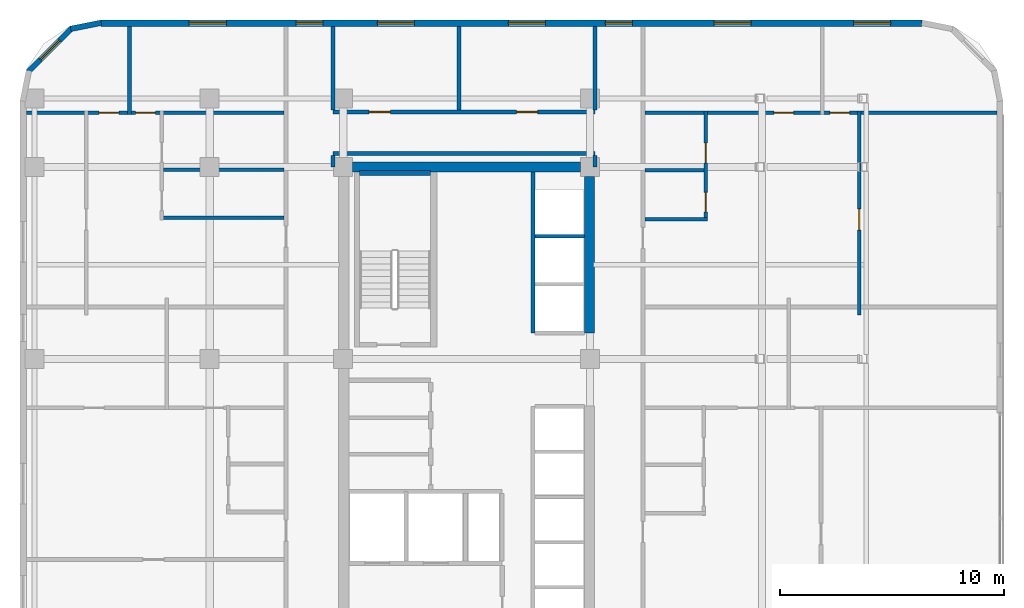
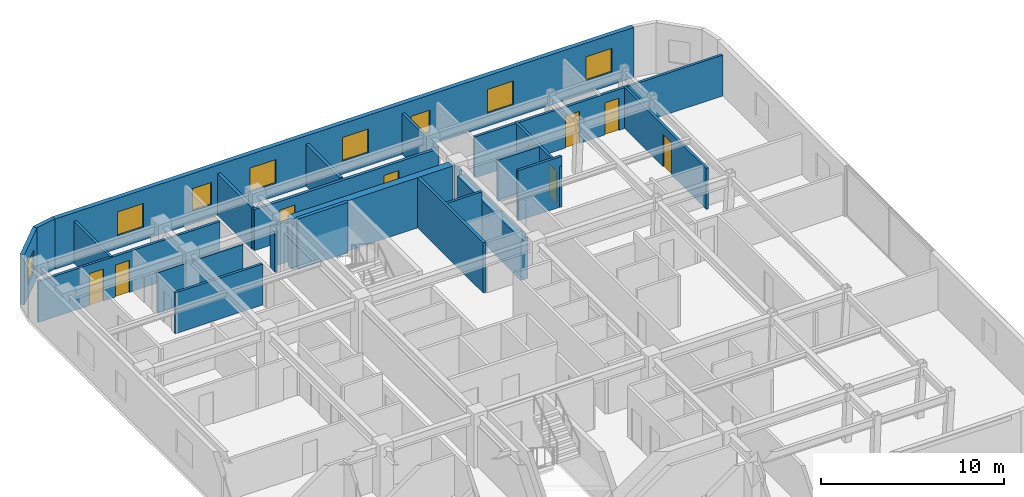
# One storey, part 7 of 12: 24 walls, 9 doors, 8 windows, 17 openings.
"""IFC4 building model written with IfcOpenShell, lengths in metres."""

from ifc_helpers import new_model, si_unit, direction, frame, frame_2d, origin, place, context, subcontext, project, spatial, rectangle, extrude, material, layer, layer_set, type_object, element, fill, save


model = new_model("IFC4")

# Units and contexts
model_context = context("Model", 3, precision=1e-05, world=origin(), true_north=direction((0.0, 1.0)))
body_context = subcontext(model_context, "Body", "Model", "MODEL_VIEW")
ifc_project = project(units=[si_unit("LENGTHUNIT", "METRE"), si_unit("AREAUNIT", "SQUARE_METRE"), si_unit("VOLUMEUNIT", "CUBIC_METRE"), si_unit("PLANEANGLEUNIT", "RADIAN"), si_unit("MASSUNIT", "GRAM", prefix="KILO")], contexts=[model_context])

# Site, building, storey
site_placement = place(None, origin())
site = spatial("IfcSite", under=ifc_project, at=site_placement, CompositionType="ELEMENT")
building_placement = place(site_placement, origin())
building = spatial("IfcBuilding", under=site, at=building_placement, Name="Ochreholt Gables", CompositionType="ELEMENT")
storey_placement = place(building_placement, frame((0.0, 0.0, 80.39990234375)))
storey = spatial("IfcBuildingStorey", under=building, at=storey_placement, Name="L20", CompositionType="ELEMENT", Elevation=80.39990234375)

# Walls
ifc_material_1 = material(Name="Concrete 60 MPa", Category="concrete")
ifc_layer_1 = layer(ifc_material_1, 0.449951171875, Name="Concrete 60 MPa")
ifc_layer_set_1 = layer_set([ifc_layer_1], Name="Concrete 60 MPa")
wall_type_1 = type_object("IfcWallType", Name="WALL-CSW-450", PredefinedType="SHEAR", material=ifc_layer_set_1)
wall_1_placement = place(storey_placement, frame((35.175048828125, 31.35009765625, 0.0), z_axis=(0.0, 0.0, 1.0), x_axis=(0.0, 1.0, 0.0)))
element("IfcWall", 1, at=wall_1_placement, inside=storey, type_object=wall_type_1, Name="L20 Core North-East Shear Wall", PredefinedType="SHEAR", context=body_context, shape_type="SweptSolid", body=[
    extrude(rectangle(XDim=6.974853515625, YDim=0.449951171875, at=frame_2d((3.4873046875, 0.0))), origin(), (0.0, 0.0, 1.0), 2.7490234375),
])
wall_2_placement = place(storey_placement, frame((24.625, 38.75, 0.0), z_axis=(0.0, 0.0, 1.0), x_axis=(1.0, 0.0, 0.0)))
element("IfcWall", 2, at=wall_2_placement, inside=storey, type_object=wall_type_1, Name="L20 Core North Shear Wall", PredefinedType="SHEAR", context=body_context, shape_type="SweptSolid", body=[
    extrude(rectangle(XDim=10.14990234375, YDim=0.449951171875, at=frame_2d((5.074951171875, 0.0))), origin(), (0.0, 0.0, 1.0), 3.360107421875),
])

# Wall, openings, windows
ifc_material_2 = material(Name="Precast concrete 40 MPa", Category="concrete")
ifc_layer_2 = layer(ifc_material_2, 0.280029296875, Name="Precast concrete 40 MPa")
ifc_layer_set_2 = layer_set([ifc_layer_2], Name="Precast concrete 40 MPa")
wall_type_2 = type_object("IfcWallType", Name="WALL-EXT-280", PredefinedType="SOLIDWALL", material=ifc_layer_set_2)
wall_3_placement = place(storey_placement, frame((49.97998046875, 45.159912109375, 0.0), z_axis=(0.0, 0.0, 1.0), x_axis=(-1.0, 0.0, 0.0)))
wall_3 = element("IfcWall", 3, at=wall_3_placement, inside=storey, type_object=wall_type_2, Name="L20 North Exterior Wall", PredefinedType="SOLIDWALL", context=body_context, shape_type="SweptSolid", body=[
    extrude(rectangle(XDim=36.56005859375, YDim=0.280029296875, at=frame_2d((18.280029296875, 0.0))), origin(), (0.0, 0.0, 1.0), 3.360107421875),
])
opening_1_placement = place(wall_3_placement, frame((30.989990234375, 0.0, 0.85009765625)))
opening_1 = element("IfcOpeningElement", 4, at=opening_1_placement, cuts=wall_3, Name="Opening WN-7", PredefinedType="OPENING", context=body_context, shape_type="SweptSolid", body=[
    extrude(rectangle(XDim=1.64990234375, YDim=1.60009765625, at=frame_2d((0.824951171875, 0.800048828125))), frame((0.0, 0.14990234375, 0.0), z_axis=(0.0, -1.0, 0.0), x_axis=(1.0, 0.0, 0.0)), (0.0, 0.0, 1.0), 0.300048828125),
])
opening_2_placement = place(wall_3_placement, frame((26.679931640625, 0.0, 0.85009765625)))
opening_2 = element("IfcOpeningElement", 5, at=opening_2_placement, cuts=wall_3, Name="Opening WN-3", PredefinedType="OPENING", context=body_context, shape_type="SweptSolid", body=[
    extrude(rectangle(XDim=1.199951171875, YDim=1.5, at=frame_2d((0.60009765625, 0.75))), frame((0.0, 0.14990234375, 0.0), z_axis=(0.0, -1.0, 0.0), x_axis=(1.0, 0.0, 0.0)), (0.0, 0.0, 1.0), 0.300048828125),
])
opening_3_placement = place(wall_3_placement, frame((22.604248046875, 0.0, 0.85009765625)))
opening_3 = element("IfcOpeningElement", 6, at=opening_3_placement, cuts=wall_3, Name="Opening WN-7", PredefinedType="OPENING", context=body_context, shape_type="SweptSolid", body=[
    extrude(rectangle(XDim=1.64990234375, YDim=1.60009765625, at=frame_2d((0.824951171875, 0.800048828125))), frame((0.0, 0.14990234375, 0.0), z_axis=(0.0, -1.0, 0.0), x_axis=(1.0, 0.0, 0.0)), (0.0, 0.0, 1.0), 0.300048828125),
])
opening_4_placement = place(wall_3_placement, frame((16.769287109375, 0.0, 0.85009765625)))
opening_4 = element("IfcOpeningElement", 7, at=opening_4_placement, cuts=wall_3, Name="Opening WN-7", PredefinedType="OPENING", context=body_context, shape_type="SweptSolid", body=[
    extrude(rectangle(XDim=1.64990234375, YDim=1.60009765625, at=frame_2d((0.824951171875, 0.800048828125))), frame((0.0, 0.14990234375, 0.0), z_axis=(0.0, -1.0, 0.0), x_axis=(1.0, 0.0, 0.0)), (0.0, 0.0, 1.0), 0.300048828125),
])
opening_5_placement = place(wall_3_placement, frame((12.89501953125, 0.0, 0.85009765625)))
opening_5 = element("IfcOpeningElement", 8, at=opening_5_placement, cuts=wall_3, Name="Opening WN-3", PredefinedType="OPENING", context=body_context, shape_type="SweptSolid", body=[
    extrude(rectangle(XDim=1.199951171875, YDim=1.5, at=frame_2d((0.60009765625, 0.75))), frame((0.0, 0.14990234375, 0.0), z_axis=(0.0, -1.0, 0.0), x_axis=(1.0, 0.0, 0.0)), (0.0, 0.0, 1.0), 0.300048828125),
])
opening_6_placement = place(wall_3_placement, frame((7.607421875, 0.0, 0.85009765625)))
opening_6 = element("IfcOpeningElement", 9, at=opening_6_placement, cuts=wall_3, Name="Opening WN-7", PredefinedType="OPENING", context=body_context, shape_type="SweptSolid", body=[
    extrude(rectangle(XDim=1.64990234375, YDim=1.60009765625, at=frame_2d((0.824951171875, 0.800048828125))), frame((0.0, 0.14990234375, 0.0), z_axis=(0.0, -1.0, 0.0), x_axis=(1.0, 0.0, 0.0)), (0.0, 0.0, 1.0), 0.300048828125),
])
opening_7_placement = place(wall_3_placement, frame((1.392578125, 0.0, 0.85009765625)))
opening_7 = element("IfcOpeningElement", 10, at=opening_7_placement, cuts=wall_3, Name="Opening WN-7", PredefinedType="OPENING", context=body_context, shape_type="SweptSolid", body=[
    extrude(rectangle(XDim=1.64990234375, YDim=1.60009765625, at=frame_2d((0.824951171875, 0.800048828125))), frame((0.0, 0.14990234375, 0.0), z_axis=(0.0, -1.0, 0.0), x_axis=(1.0, 0.0, 0.0)), (0.0, 0.0, 1.0), 0.300048828125),
])
ifc_material_3 = material(Name="Triple-Glazed Thermally Broken Aluminium Window", Category="aluminium")
window_type_1 = type_object("IfcWindowType", Name="WIN-RES-1200", PartitioningType="SINGLE_PANEL", PredefinedType="WINDOW", material=ifc_material_3)
window_1_placement = place(opening_2_placement, origin())
window_1 = element("IfcWindow", 11, at=window_1_placement, inside=storey, type_object=window_type_1, Name="L20 Window W-EXT-N-L20-2", OverallHeight=1.5, OverallWidth=1.199951171875, PartitioningType="SINGLE_PANEL", PredefinedType="WINDOW", context=body_context, shape_type="SweptSolid", body=[
    extrude(rectangle(XDim=1.199951171875, YDim=1.5, at=frame_2d((0.60009765625, 0.75))), frame((0.0, 0.030029296875, 0.0), z_axis=(0.0, -1.0, 0.0), x_axis=(1.0, 0.0, 0.0)), (0.0, 0.0, 1.0), 0.06005859375),
])
fill(opening_2, window_1)
window_2_placement = place(opening_5_placement, origin())
window_2 = element("IfcWindow", 12, at=window_2_placement, inside=storey, type_object=window_type_1, Name="L20 Window W-EXT-N-L20-5", OverallHeight=1.5, OverallWidth=1.199951171875, PartitioningType="SINGLE_PANEL", PredefinedType="WINDOW", context=body_context, shape_type="SweptSolid", body=[
    extrude(rectangle(XDim=1.199951171875, YDim=1.5, at=frame_2d((0.60009765625, 0.75))), frame((0.0, 0.030029296875, 0.0), z_axis=(0.0, -1.0, 0.0), x_axis=(1.0, 0.0, 0.0)), (0.0, 0.0, 1.0), 0.06005859375),
])
fill(opening_5, window_2)
window_type_2 = type_object("IfcWindowType", Name="WIN-RES-1650", PartitioningType="SINGLE_PANEL", PredefinedType="WINDOW", material=ifc_material_3)
window_3_placement = place(opening_1_placement, origin())
window_3 = element("IfcWindow", 13, at=window_3_placement, inside=storey, type_object=window_type_2, Name="L20 Window W-EXT-N-L20-1", OverallHeight=1.60009765625, OverallWidth=1.64990234375, PartitioningType="SINGLE_PANEL", PredefinedType="WINDOW", context=body_context, shape_type="SweptSolid", body=[
    extrude(rectangle(XDim=1.64990234375, YDim=1.60009765625, at=frame_2d((0.824951171875, 0.800048828125))), frame((0.0, 0.030029296875, 0.0), z_axis=(0.0, -1.0, 0.0), x_axis=(1.0, 0.0, 0.0)), (0.0, 0.0, 1.0), 0.06005859375),
])
fill(opening_1, window_3)
window_4_placement = place(opening_3_placement, origin())
window_4 = element("IfcWindow", 14, at=window_4_placement, inside=storey, type_object=window_type_2, Name="L20 Window W-EXT-N-L20-3", OverallHeight=1.60009765625, OverallWidth=1.64990234375, PartitioningType="SINGLE_PANEL", PredefinedType="WINDOW", context=body_context, shape_type="SweptSolid", body=[
    extrude(rectangle(XDim=1.64990234375, YDim=1.60009765625, at=frame_2d((0.824951171875, 0.800048828125))), frame((0.0, 0.030029296875, 0.0), z_axis=(0.0, -1.0, 0.0), x_axis=(1.0, 0.0, 0.0)), (0.0, 0.0, 1.0), 0.06005859375),
])
fill(opening_3, window_4)
window_5_placement = place(opening_4_placement, origin())
window_5 = element("IfcWindow", 15, at=window_5_placement, inside=storey, type_object=window_type_2, Name="L20 Window W-EXT-N-L20-4", OverallHeight=1.60009765625, OverallWidth=1.64990234375, PartitioningType="SINGLE_PANEL", PredefinedType="WINDOW", context=body_context, shape_type="SweptSolid", body=[
    extrude(rectangle(XDim=1.64990234375, YDim=1.60009765625, at=frame_2d((0.824951171875, 0.800048828125))), frame((0.0, 0.030029296875, 0.0), z_axis=(0.0, -1.0, 0.0), x_axis=(1.0, 0.0, 0.0)), (0.0, 0.0, 1.0), 0.06005859375),
])
fill(opening_4, window_5)
window_6_placement = place(opening_6_placement, origin())
window_6 = element("IfcWindow", 16, at=window_6_placement, inside=storey, type_object=window_type_2, Name="L20 Window W-EXT-N-L20-6", OverallHeight=1.60009765625, OverallWidth=1.64990234375, PartitioningType="SINGLE_PANEL", PredefinedType="WINDOW", context=body_context, shape_type="SweptSolid", body=[
    extrude(rectangle(XDim=1.64990234375, YDim=1.60009765625, at=frame_2d((0.824951171875, 0.800048828125))), frame((0.0, 0.030029296875, 0.0), z_axis=(0.0, -1.0, 0.0), x_axis=(1.0, 0.0, 0.0)), (0.0, 0.0, 1.0), 0.06005859375),
])
fill(opening_6, window_6)
window_7_placement = place(opening_7_placement, origin())
window_7 = element("IfcWindow", 17, at=window_7_placement, inside=storey, type_object=window_type_2, Name="L20 Window W-EXT-N-L20-7", OverallHeight=1.60009765625, OverallWidth=1.64990234375, PartitioningType="SINGLE_PANEL", PredefinedType="WINDOW", context=body_context, shape_type="SweptSolid", body=[
    extrude(rectangle(XDim=1.64990234375, YDim=1.60009765625, at=frame_2d((0.824951171875, 0.800048828125))), frame((0.0, 0.030029296875, 0.0), z_axis=(0.0, -1.0, 0.0), x_axis=(1.0, 0.0, 0.0)), (0.0, 0.0, 1.0), 0.06005859375),
])
fill(opening_7, window_7)

# Wall
ifc_layer_3 = layer(ifc_material_2, 0.25, Name="Precast concrete 40 MPa")
ifc_layer_set_3 = layer_set([ifc_layer_3], Name="Precast concrete 40 MPa")
wall_type_3 = type_object("IfcWallType", Name="WALL-EXT-CNR", PredefinedType="SOLIDWALL", material=ifc_layer_set_3)
wall_4_placement = place(storey_placement, frame((13.41650390625, 45.17578125, 0.0), z_axis=(0.0, 0.0, 1.0), x_axis=(-0.980809899341, -0.19496651342, 0.0)))
element("IfcWall", 18, at=wall_4_placement, inside=storey, type_object=wall_type_3, Name="L20 Rounded Corner Wall NW-1", PredefinedType="SOLIDWALL", context=body_context, shape_type="SweptSolid", body=[
    extrude(rectangle(XDim=1.388671875, YDim=0.25, at=frame_2d((0.6943359375, 0.0))), origin(), (0.0, 0.0, 1.0), 3.360107421875),
])

# Wall, opening, window
wall_5_placement = place(storey_placement, frame((12.10498046875, 44.931884765625, 0.0), z_axis=(0.0, 0.0, 1.0), x_axis=(-0.707151344399, -0.707062215165, 0.0)))
wall_5 = element("IfcWall", 19, at=wall_5_placement, inside=storey, type_object=wall_type_3, Name="L20 Rounded Corner Wall NW-2", PredefinedType="SOLIDWALL", context=body_context, shape_type="SweptSolid", body=[
    extrude(rectangle(XDim=2.7392578125, YDim=0.25, at=frame_2d((1.36962890625, 0.0))), origin(), (0.0, 0.0, 1.0), 3.360107421875),
])
opening_8_placement = place(wall_5_placement, frame((0.769775390625, 0.0, 0.85009765625)))
opening_8 = element("IfcOpeningElement", 20, at=opening_8_placement, cuts=wall_5, Name="Opening WN-3", PredefinedType="OPENING", context=body_context, shape_type="SweptSolid", body=[
    extrude(rectangle(XDim=1.199951171875, YDim=1.5, at=frame_2d((0.60009765625, 0.75))), frame((0.0, 0.135009765625, 0.0), z_axis=(0.0, -1.0, 0.0), x_axis=(1.0, 0.0, 0.0)), (0.0, 0.0, 1.0), 0.27001953125),
])
window_8_placement = place(opening_8_placement, origin())
window_8 = element("IfcWindow", 21, at=window_8_placement, inside=storey, type_object=window_type_1, Name="L20 Corner Bedroom Window NW", OverallHeight=1.5, OverallWidth=1.199951171875, PartitioningType="SINGLE_PANEL", PredefinedType="WINDOW", context=body_context, shape_type="SweptSolid", body=[
    extrude(rectangle(XDim=1.199951171875, YDim=1.5, at=frame_2d((0.60009765625, 0.75))), frame((0.0, 0.030029296875, 0.0), z_axis=(0.0, -1.0, 0.0), x_axis=(1.0, 0.0, 0.0)), (0.0, 0.0, 1.0), 0.06005859375),
])
fill(opening_8, window_8)

# Wall, openings, doors
ifc_material_4 = material(Name="Fire-Rated Gypsum Acoustic Partition", Category="gypsum")
ifc_layer_4 = layer(ifc_material_4, 0.179931640625, Name="Fire-Rated Gypsum Acoustic Partition")
ifc_layer_set_4 = layer_set([ifc_layer_4], Name="Fire-Rated Gypsum Acoustic Partition")
wall_type_4 = type_object("IfcWallType", Name="WALL-INT-CR180", PredefinedType="STANDARD", material=ifc_layer_set_4)
wall_6_placement = place(storey_placement, frame((23.75, 41.199951171875, 0.0), z_axis=(0.0, 0.0, 1.0), x_axis=(1.0, 0.0, 0.0)))
wall_6 = element("IfcWall", 22, at=wall_6_placement, inside=storey, type_object=wall_type_4, Name="L20 Interior Wall WI-C1N-L20", PredefinedType="STANDARD", context=body_context, shape_type="SweptSolid", body=[
    extrude(rectangle(XDim=11.669921875, YDim=0.179931640625, at=frame_2d((5.8349609375, 0.0))), origin(), (0.0, 0.0, 1.0), 2.731201171875),
])
opening_9_placement = place(wall_6_placement, frame((1.60009765625, 0.0, 0.0)))
opening_9 = element("IfcOpeningElement", 23, at=opening_9_placement, cuts=wall_6, Name="Opening D-GN1", PredefinedType="OPENING", context=body_context, shape_type="SweptSolid", body=[
    extrude(rectangle(XDim=0.949951171875, YDim=2.14990234375, at=frame_2d((0.47509765625, 1.074951171875))), frame((0.0, 0.099853515625, 0.0), z_axis=(0.0, -1.0, 0.0), x_axis=(1.0, 0.0, 0.0)), (0.0, 0.0, 1.0), 0.199951171875),
])
opening_10_placement = place(wall_6_placement, frame((8.17578125, 0.0, 0.0)))
opening_10 = element("IfcOpeningElement", 24, at=opening_10_placement, cuts=wall_6, Name="Opening D-UN2", PredefinedType="OPENING", context=body_context, shape_type="SweptSolid", body=[
    extrude(rectangle(XDim=0.93994140625, YDim=2.14990234375, at=frame_2d((0.469970703125, 1.074951171875))), frame((0.0, 0.099853515625, 0.0), z_axis=(0.0, -1.0, 0.0), x_axis=(1.0, 0.0, 0.0)), (0.0, 0.0, 1.0), 0.199951171875),
])
ifc_material_5 = material(Name="Engineered Oak Timber", Category="wood")
door_type_1 = type_object("IfcDoorType", Name="DR-INT-GEN950", OperationType="NOTDEFINED", PredefinedType="DOOR", material=ifc_material_5)
door_1_placement = place(opening_9_placement, origin())
door_1 = element("IfcDoor", 25, at=door_1_placement, inside=storey, type_object=door_type_1, Name="L20 Door D-C1NL-L20", OperationType="SINGLE_SWING_RIGHT", OverallHeight=2.14990234375, OverallWidth=0.949951171875, PredefinedType="DOOR", context=body_context, shape_type="SweptSolid", body=[
    extrude(rectangle(XDim=0.949951171875, YDim=2.14990234375, at=frame_2d((0.47509765625, 1.074951171875))), frame((0.0, 0.02490234375, 0.0), z_axis=(0.0, -1.0, 0.0), x_axis=(1.0, 0.0, 0.0)), (0.0, 0.0, 1.0), 0.050048828125),
])
fill(opening_9, door_1)
door_type_2 = type_object("IfcDoorType", Name="DR-INT-UNT940", OperationType="NOTDEFINED", PredefinedType="DOOR", material=ifc_material_5)
door_2_placement = place(opening_10_placement, origin())
door_2 = element("IfcDoor", 26, at=door_2_placement, inside=storey, type_object=door_type_2, Name="L20 Door D-U-L20N1-ENT", OperationType="SINGLE_SWING_LEFT", OverallHeight=2.14990234375, OverallWidth=0.93994140625, PredefinedType="DOOR", context=body_context, shape_type="SweptSolid", body=[
    extrude(rectangle(XDim=0.93994140625, YDim=2.14990234375, at=frame_2d((0.469970703125, 1.074951171875))), frame((0.0, 0.02490234375, 0.0), z_axis=(0.0, -1.0, 0.0), x_axis=(1.0, 0.0, 0.0)), (0.0, 0.0, 1.0), 0.050048828125),
])
fill(opening_10, door_2)

# Walls
wall_7_placement = place(storey_placement, frame((23.75, 39.35009765625, 0.0), z_axis=(0.0, 0.0, 1.0), x_axis=(1.0, 0.0, 0.0)))
element("IfcWall", 27, at=wall_7_placement, inside=storey, type_object=wall_type_4, Name="L20 Interior Wall WI-C1N2-L20", PredefinedType="STANDARD", context=body_context, shape_type="SweptSolid", body=[
    extrude(rectangle(XDim=11.669921875, YDim=0.179931640625, at=frame_2d((5.8349609375, 0.0))), origin(), (0.0, 0.0, 1.0), 2.731201171875),
])
for number, where, z_axis, x_axis, name in (
    (28, (35.419921875, 38.75, 0.0), (0.0, 0.0, 1.0), (0.0, 1.0, 0.0), "L20 Interior Wall WI-C1ENW2-L20"),
    (29, (23.75, 38.75, 0.0), (0.0, 0.0, 1.0), (0.0, 1.0, 0.0), "L20 Interior Wall WI-C1NWA2-L20"),
):
    element("IfcWall", number, at=place(storey_placement, frame(where, z_axis=z_axis, x_axis=x_axis)), inside=storey, type_object=wall_type_4, Name=name, PredefinedType="STANDARD", context=body_context, shape_type="SweptSolid", body=[
        extrude(rectangle(XDim=0.510009765625, YDim=0.179931640625, at=frame_2d((0.2548828125, 0.0))), origin(), (0.0, 0.0, 1.0), 2.731201171875),
    ])
ifc_material_6 = material(Name="Double-Stud Acoustic Demising Wall", Category="gypsum")
ifc_layer_5 = layer(ifc_material_6, 0.179931640625, Name="Double-Stud Acoustic Demising Wall")
ifc_layer_set_5 = layer_set([ifc_layer_5], Name="Double-Stud Acoustic Demising Wall")
wall_type_5 = type_object("IfcWallType", Name="WALL-INT-DM180", PredefinedType="PARTITIONING", material=ifc_layer_set_5)
wall_8_placement = place(storey_placement, frame((35.419921875, 41.2900390625, 0.0), z_axis=(0.0, 0.0, 1.0), x_axis=(0.0, 1.0, 0.0)))
element("IfcWall", 30, at=wall_8_placement, inside=storey, type_object=wall_type_5, Name="L20 Interior Wall WI-C1ENW-L20", PredefinedType="PARTITIONING", context=body_context, shape_type="SweptSolid", body=[
    extrude(rectangle(XDim=3.72998046875, YDim=0.179931640625, at=frame_2d((1.864990234375, 0.0))), origin(), (0.0, 0.0, 1.0), 2.731201171875),
])
for number, where, z_axis, x_axis, name in (
    (31, (23.75, 41.2900390625, 0.0), (0.0, 0.0, 1.0), (0.0, 1.0, 0.0), "L20 Interior Wall WI-C1NWA-L20"),
    (32, (29.3515625, 41.2900390625, 0.0), (0.0, 0.0, 1.0), (0.0, 1.0, 0.0), "L20 Interior Wall WI-UDN1-L20"),
):
    element("IfcWall", number, at=place(storey_placement, frame(where, z_axis=z_axis, x_axis=x_axis)), inside=storey, type_object=wall_type_5, Name=name, PredefinedType="PARTITIONING", context=body_context, shape_type="SweptSolid", body=[
        extrude(rectangle(XDim=3.72998046875, YDim=0.179931640625, at=frame_2d((1.864990234375, 0.0))), origin(), (0.0, 0.0, 1.0), 2.80908203125),
    ])
ifc_material_7 = material(Name="Moisture-Resistant Plumbing Chase Wall", Category="gypsum")
ifc_layer_6 = layer(ifc_material_7, 0.159912109375, Name="Moisture-Resistant Plumbing Chase Wall")
ifc_layer_set_6 = layer_set([ifc_layer_6], Name="Moisture-Resistant Plumbing Chase Wall")
wall_type_6 = type_object("IfcWallType", Name="WALL-INT-PL160", PredefinedType="PLUMBINGWALL", material=ifc_layer_set_6)
wall_9_placement = place(storey_placement, frame((37.639892578125, 36.424560546875, 0.0), z_axis=(0.0, 0.0, 1.0), x_axis=(1.0, 0.0, 0.0)))
element("IfcWall", 33, at=wall_9_placement, inside=storey, type_object=wall_type_6, Name="L20 Interior Wall WU-L20E3-FYS", PredefinedType="PLUMBINGWALL", context=body_context, shape_type="SweptSolid", body=[
    extrude(rectangle(XDim=2.7880859375, YDim=0.159912109375, at=frame_2d((1.39404296875, 0.0))), origin(), (0.0, 0.0, 1.0), 3.360107421875),
])

# Wall, openings, doors
wall_10_placement = place(storey_placement, frame((40.347900390625, 36.33447265625, 0.0), z_axis=(0.0, 0.0, 1.0), x_axis=(0.0, 1.0, 0.0)))
wall_10 = element("IfcWall", 34, at=wall_10_placement, inside=storey, type_object=wall_type_6, Name="L20 Interior Wall WU-L20E3-WX", PredefinedType="PLUMBINGWALL", context=body_context, shape_type="SweptSolid", body=[
    extrude(rectangle(XDim=4.91552734375, YDim=0.159912109375, at=frame_2d((2.457763671875, 0.0))), origin(), (0.0, 0.0, 1.0), 2.731201171875),
])
opening_11_placement = place(wall_10_placement, frame((0.419921875, 0.0, 0.0)))
opening_11 = element("IfcOpeningElement", 35, at=opening_11_placement, cuts=wall_10, Name="Opening D-BT1", PredefinedType="OPENING", context=body_context, shape_type="SweptSolid", body=[
    extrude(rectangle(XDim=0.860107421875, YDim=2.1201171875, at=frame_2d((0.43017578125, 1.06005859375))), frame((0.0, 0.08984375, 0.0), z_axis=(0.0, -1.0, 0.0), x_axis=(1.0, 0.0, 0.0)), (0.0, 0.0, 1.0), 0.179931640625),
])
opening_12_placement = place(wall_10_placement, frame((2.598388671875, 0.0, 0.0)))
opening_12 = element("IfcOpeningElement", 36, at=opening_12_placement, cuts=wall_10, Name="Opening D-GN2", PredefinedType="OPENING", context=body_context, shape_type="SweptSolid", body=[
    extrude(rectangle(XDim=0.8798828125, YDim=2.1201171875, at=frame_2d((0.43994140625, 1.06005859375))), frame((0.0, 0.08984375, 0.0), z_axis=(0.0, -1.0, 0.0), x_axis=(1.0, 0.0, 0.0)), (0.0, 0.0, 1.0), 0.179931640625),
])
door_type_3 = type_object("IfcDoorType", Name="DR-INT-BTH860", OperationType="NOTDEFINED", PredefinedType="DOOR", material=ifc_material_5)
door_3_placement = place(opening_11_placement, origin())
door_3 = element("IfcDoor", 37, at=door_3_placement, inside=storey, type_object=door_type_3, Name="L20 Door D-U-L20E3-BTH", OperationType="SINGLE_SWING_LEFT", OverallHeight=2.1201171875, OverallWidth=0.860107421875, PredefinedType="DOOR", context=body_context, shape_type="SweptSolid", body=[
    extrude(rectangle(XDim=0.860107421875, YDim=2.1201171875, at=frame_2d((0.43017578125, 1.06005859375))), frame((0.0, 0.02490234375, 0.0), z_axis=(0.0, -1.0, 0.0), x_axis=(1.0, 0.0, 0.0)), (0.0, 0.0, 1.0), 0.050048828125),
])
fill(opening_11, door_3)
door_type_4 = type_object("IfcDoorType", Name="DR-INT-GEN880", OperationType="NOTDEFINED", PredefinedType="DOOR", material=ifc_material_5)
door_4_placement = place(opening_12_placement, origin())
door_4 = element("IfcDoor", 38, at=door_4_placement, inside=storey, type_object=door_type_4, Name="L20 Door D-U-L20E3-KIT", OperationType="SINGLE_SWING_RIGHT", OverallHeight=2.1201171875, OverallWidth=0.8798828125, PredefinedType="DOOR", context=body_context, shape_type="SweptSolid", body=[
    extrude(rectangle(XDim=0.8798828125, YDim=2.1201171875, at=frame_2d((0.43994140625, 1.06005859375))), frame((0.0, 0.02490234375, 0.0), z_axis=(0.0, -1.0, 0.0), x_axis=(1.0, 0.0, 0.0)), (0.0, 0.0, 1.0), 0.050048828125),
])
fill(opening_12, door_4)

# Walls
wall_11_placement = place(storey_placement, frame((37.639892578125, 38.602783203125, 0.0), z_axis=(0.0, 0.0, 1.0), x_axis=(1.0, 0.0, 0.0)))
element("IfcWall", 39, at=wall_11_placement, inside=storey, type_object=wall_type_6, Name="L20 Interior Wall WU-L20E3-WK", PredefinedType="PLUMBINGWALL", context=body_context, shape_type="SweptSolid", body=[
    extrude(rectangle(XDim=2.628173828125, YDim=0.159912109375, at=frame_2d((1.31396484375, 0.0))), origin(), (0.0, 0.0, 1.0), 2.731201171875),
])
wall_12_placement = place(storey_placement, frame((16.030029296875, 36.4814453125, 0.0), z_axis=(0.0, 0.0, 1.0), x_axis=(1.0, 0.0, 0.0)))
element("IfcWall", 40, at=wall_12_placement, inside=storey, type_object=wall_type_6, Name="L20 Interior Wall WU-L20W3-FYS", PredefinedType="PLUMBINGWALL", context=body_context, shape_type="SweptSolid", body=[
    extrude(rectangle(XDim=5.530029296875, YDim=0.159912109375, at=frame_2d((2.76513671875, 0.0))), origin(), (0.0, 0.0, 1.0), 2.731201171875),
])
wall_13_placement = place(storey_placement, frame((16.18994140625, 38.633544921875, 0.0), z_axis=(0.0, 0.0, 1.0), x_axis=(1.0, 0.0, 0.0)))
element("IfcWall", 41, at=wall_13_placement, inside=storey, type_object=wall_type_6, Name="L20 Interior Wall WU-L20W3-WK", PredefinedType="PLUMBINGWALL", context=body_context, shape_type="SweptSolid", body=[
    extrude(rectangle(XDim=5.3701171875, YDim=0.159912109375, at=frame_2d((2.68505859375, 0.0))), origin(), (0.0, 0.0, 1.0), 2.731201171875),
])

# Wall, openings, doors
ifc_material_8 = material(Name="Gypsum Acoustic Stud Partition", Category="gypsum")
ifc_layer_7 = layer(ifc_material_8, 0.159912109375, Name="Gypsum Acoustic Stud Partition")
ifc_layer_set_7 = layer_set([ifc_layer_7], Name="Gypsum Acoustic Stud Partition")
wall_type_7 = type_object("IfcWallType", Name="WALL-INT-PT160", PredefinedType="PARTITIONING", material=ifc_layer_set_7)
wall_14_placement = place(storey_placement, frame((37.639892578125, 41.159912109375, 0.0), z_axis=(0.0, 0.0, 1.0), x_axis=(1.0, 0.0, 0.0)))
wall_14 = element("IfcWall", 42, at=wall_14_placement, inside=storey, type_object=wall_type_7, Name="L20 Interior Wall WU-L20E3-MN", PredefinedType="PARTITIONING", context=body_context, shape_type="SweptSolid", body=[
    extrude(rectangle(XDim=15.68017578125, YDim=0.159912109375, at=frame_2d((7.840087890625, 0.0))), origin(), (0.0, 0.0, 1.0), 2.731201171875),
])
opening_13_placement = place(wall_14_placement, frame((5.75146484375, 0.0, 0.0)))
opening_13 = element("IfcOpeningElement", 43, at=opening_13_placement, cuts=wall_14, Name="Opening D-BD2", PredefinedType="OPENING", context=body_context, shape_type="SweptSolid", body=[
    extrude(rectangle(XDim=0.8798828125, YDim=2.139892578125, at=frame_2d((0.43994140625, 1.06982421875))), frame((0.0, 0.08984375, 0.0), z_axis=(0.0, -1.0, 0.0), x_axis=(1.0, 0.0, 0.0)), (0.0, 0.0, 1.0), 0.179931640625),
])
opening_14_placement = place(wall_14_placement, frame((8.244384765625, 0.0, 0.0)))
opening_14 = element("IfcOpeningElement", 44, at=opening_14_placement, cuts=wall_14, Name="Opening D-BD2", PredefinedType="OPENING", context=body_context, shape_type="SweptSolid", body=[
    extrude(rectangle(XDim=0.8798828125, YDim=2.139892578125, at=frame_2d((0.43994140625, 1.06982421875))), frame((0.0, 0.08984375, 0.0), z_axis=(0.0, -1.0, 0.0), x_axis=(1.0, 0.0, 0.0)), (0.0, 0.0, 1.0), 0.179931640625),
])
door_type_5 = type_object("IfcDoorType", Name="DR-INT-BED880", OperationType="NOTDEFINED", PredefinedType="DOOR", material=ifc_material_5)
door_5_placement = place(opening_13_placement, origin())
door_5 = element("IfcDoor", 45, at=door_5_placement, inside=storey, type_object=door_type_5, Name="L20 Door D-U-L20E3-BD1", OperationType="SINGLE_SWING_RIGHT", OverallHeight=2.139892578125, OverallWidth=0.8798828125, PredefinedType="DOOR", context=body_context, shape_type="SweptSolid", body=[
    extrude(rectangle(XDim=0.8798828125, YDim=2.139892578125, at=frame_2d((0.43994140625, 1.06982421875))), frame((0.0, 0.02490234375, 0.0), z_axis=(0.0, -1.0, 0.0), x_axis=(1.0, 0.0, 0.0)), (0.0, 0.0, 1.0), 0.050048828125),
])
fill(opening_13, door_5)
door_6_placement = place(opening_14_placement, origin())
door_6 = element("IfcDoor", 46, at=door_6_placement, inside=storey, type_object=door_type_5, Name="L20 Door D-U-L20E3-BD2", OperationType="SINGLE_SWING_LEFT", OverallHeight=2.139892578125, OverallWidth=0.8798828125, PredefinedType="DOOR", context=body_context, shape_type="SweptSolid", body=[
    extrude(rectangle(XDim=0.8798828125, YDim=2.139892578125, at=frame_2d((0.43994140625, 1.06982421875))), frame((0.0, 0.02490234375, 0.0), z_axis=(0.0, -1.0, 0.0), x_axis=(1.0, 0.0, 0.0)), (0.0, 0.0, 1.0), 0.050048828125),
])
fill(opening_14, door_6)

# Wall, opening, door
wall_15_placement = place(storey_placement, frame((47.193603515625, 32.159912109375, 0.0), z_axis=(0.0, 0.0, 1.0), x_axis=(0.0, 1.0, 0.0)))
wall_15 = element("IfcWall", 47, at=wall_15_placement, inside=storey, type_object=wall_type_7, Name="L20 Interior Wall WU-L20E3-DNV", PredefinedType="PARTITIONING", context=body_context, shape_type="SweptSolid", body=[
    extrude(rectangle(XDim=9.080078125, YDim=0.159912109375, at=frame_2d((4.5400390625, 0.0))), origin(), (0.0, 0.0, 1.0), 2.731201171875),
])
opening_15_placement = place(wall_15_placement, frame((3.780029296875, 0.0, 0.0)))
opening_15 = element("IfcOpeningElement", 48, at=opening_15_placement, cuts=wall_15, Name="Opening D-GN1", PredefinedType="OPENING", context=body_context, shape_type="SweptSolid", body=[
    extrude(rectangle(XDim=0.949951171875, YDim=2.14990234375, at=frame_2d((0.47509765625, 1.074951171875))), frame((0.0, 0.08984375, 0.0), z_axis=(0.0, -1.0, 0.0), x_axis=(1.0, 0.0, 0.0)), (0.0, 0.0, 1.0), 0.179931640625),
])
door_7_placement = place(opening_15_placement, origin())
door_7 = element("IfcDoor", 49, at=door_7_placement, inside=storey, type_object=door_type_1, Name="L20 Door D-U-L20E3-DIN", OperationType="SINGLE_SWING_LEFT", OverallHeight=2.14990234375, OverallWidth=0.949951171875, PredefinedType="DOOR", context=body_context, shape_type="SweptSolid", body=[
    extrude(rectangle(XDim=0.949951171875, YDim=2.14990234375, at=frame_2d((0.47509765625, 1.074951171875))), frame((0.0, 0.02490234375, 0.0), z_axis=(0.0, -1.0, 0.0), x_axis=(1.0, 0.0, 0.0)), (0.0, 0.0, 1.0), 0.050048828125),
])
fill(opening_15, door_7)

# Wall, openings, doors
wall_16_placement = place(storey_placement, frame((10.080078125, 41.159912109375, 0.0), z_axis=(0.0, 0.0, 1.0), x_axis=(1.0, 0.0, 0.0)))
wall_16 = element("IfcWall", 50, at=wall_16_placement, inside=storey, type_object=wall_type_7, Name="L20 Interior Wall WU-L20W3-MN", PredefinedType="PARTITIONING", context=body_context, shape_type="SweptSolid", body=[
    extrude(rectangle(XDim=11.47998046875, YDim=0.159912109375, at=frame_2d((5.739990234375, 0.0))), origin(), (0.0, 0.0, 1.0), 2.731201171875),
])
opening_16_placement = place(wall_16_placement, frame((3.239990234375, 0.0, 0.0)))
opening_16 = element("IfcOpeningElement", 51, at=opening_16_placement, cuts=wall_16, Name="Opening D-BD2", PredefinedType="OPENING", context=body_context, shape_type="SweptSolid", body=[
    extrude(rectangle(XDim=0.8798828125, YDim=2.139892578125, at=frame_2d((0.43994140625, 1.06982421875))), frame((0.0, 0.08984375, 0.0), z_axis=(0.0, -1.0, 0.0), x_axis=(1.0, 0.0, 0.0)), (0.0, 0.0, 1.0), 0.179931640625),
])
opening_17_placement = place(wall_16_placement, frame((4.8701171875, 0.0, 0.0)))
opening_17 = element("IfcOpeningElement", 52, at=opening_17_placement, cuts=wall_16, Name="Opening D-BD2", PredefinedType="OPENING", context=body_context, shape_type="SweptSolid", body=[
    extrude(rectangle(XDim=0.8798828125, YDim=2.139892578125, at=frame_2d((0.43994140625, 1.06982421875))), frame((0.0, 0.08984375, 0.0), z_axis=(0.0, -1.0, 0.0), x_axis=(1.0, 0.0, 0.0)), (0.0, 0.0, 1.0), 0.179931640625),
])
door_8_placement = place(opening_16_placement, origin())
door_8 = element("IfcDoor", 53, at=door_8_placement, inside=storey, type_object=door_type_5, Name="L20 Door D-U-L20W3-BD1", OperationType="SINGLE_SWING_LEFT", OverallHeight=2.139892578125, OverallWidth=0.8798828125, PredefinedType="DOOR", context=body_context, shape_type="SweptSolid", body=[
    extrude(rectangle(XDim=0.8798828125, YDim=2.139892578125, at=frame_2d((0.43994140625, 1.06982421875))), frame((0.0, 0.02490234375, 0.0), z_axis=(0.0, -1.0, 0.0), x_axis=(1.0, 0.0, 0.0)), (0.0, 0.0, 1.0), 0.050048828125),
])
fill(opening_16, door_8)
door_9_placement = place(opening_17_placement, origin())
door_9 = element("IfcDoor", 54, at=door_9_placement, inside=storey, type_object=door_type_5, Name="L20 Door D-U-L20W3-BD2", OperationType="SINGLE_SWING_RIGHT", OverallHeight=2.139892578125, OverallWidth=0.8798828125, PredefinedType="DOOR", context=body_context, shape_type="SweptSolid", body=[
    extrude(rectangle(XDim=0.8798828125, YDim=2.139892578125, at=frame_2d((0.43994140625, 1.06982421875))), frame((0.0, 0.02490234375, 0.0), z_axis=(0.0, -1.0, 0.0), x_axis=(1.0, 0.0, 0.0)), (0.0, 0.0, 1.0), 0.050048828125),
])
fill(opening_17, door_9)

# Walls
wall_17_placement = place(storey_placement, frame((14.679931640625, 41.080078125, 0.0), z_axis=(0.0, 0.0, 1.0), x_axis=(0.0, 1.0, 0.0)))
element("IfcWall", 55, at=wall_17_placement, inside=storey, type_object=wall_type_7, Name="L20 Interior Wall WU-L20W3-BSD", PredefinedType="PARTITIONING", context=body_context, shape_type="SweptSolid", body=[
    extrude(rectangle(XDim=3.93994140625, YDim=0.159912109375, at=frame_2d((1.969970703125, 0.0))), origin(), (0.0, 0.0, 1.0), 2.80908203125),
])
ifc_material_9 = material(Name="Gypsum Shaftliner and Steel Stud", Category="steel")
ifc_layer_8 = layer(ifc_material_9, 0.14990234375, Name="Gypsum Shaftliner and Steel Stud")
ifc_layer_set_8 = layer_set([ifc_layer_8], Name="Gypsum Shaftliner and Steel Stud")
wall_type_8 = type_object("IfcWallType", Name="WALL-INT-SH150", PredefinedType="STANDARD", material=ifc_layer_set_8)
wall_18_placement = place(storey_placement, frame((32.739990234375, 35.669921875, 0.0), z_axis=(0.0, 0.0, 1.0), x_axis=(1.0, 0.0, 0.0)))
element("IfcWall", 56, at=wall_18_placement, inside=storey, type_object=wall_type_8, Name="L20 Interior Wall WI-LFM-D2-L20", PredefinedType="STANDARD", context=body_context, shape_type="SweptSolid", body=[
    extrude(rectangle(XDim=2.2099609375, YDim=0.14990234375, at=frame_2d((1.10498046875, 0.0))), origin(), (0.0, 0.0, 1.0), 3.360107421875),
])
ifc_layer_9 = layer(ifc_material_9, 0.179931640625, Name="Gypsum Shaftliner and Steel Stud")
ifc_layer_set_9 = layer_set([ifc_layer_9], Name="Gypsum Shaftliner and Steel Stud")
wall_type_9 = type_object("IfcWallType", Name="WALL-INT-SH180", PredefinedType="STANDARD", material=ifc_layer_set_9)
wall_19_placement = place(storey_placement, frame((32.64990234375, 31.35009765625, 0.0), z_axis=(0.0, 0.0, 1.0), x_axis=(0.0, 1.0, 0.0)))
element("IfcWall", 57, at=wall_19_placement, inside=storey, type_object=wall_type_9, Name="L20 Interior Wall WI-LFM-FR-L20", PredefinedType="STANDARD", context=body_context, shape_type="SweptSolid", body=[
    extrude(rectangle(XDim=7.1748046875, YDim=0.179931640625, at=frame_2d((3.58740234375, 0.0))), origin(), (0.0, 0.0, 1.0), 3.360107421875),
])
ifc_material_10 = material(Name="Concrete 50 MPa", Category="concrete")
ifc_layer_10 = layer(ifc_material_10, 0.219970703125, Name="Concrete 50 MPa")
ifc_layer_set_10 = layer_set([ifc_layer_10], Name="Concrete 50 MPa")
wall_type_10 = type_object("IfcWallType", Name="WALL-STW-220", PredefinedType="SHEAR", material=ifc_layer_set_10)
wall_20_placement = place(storey_placement, frame((24.919921875, 38.489990234375, 0.0), z_axis=(0.0, 0.0, 1.0), x_axis=(1.0, 0.0, 0.0)))
element("IfcWall", 58, at=wall_20_placement, inside=storey, type_object=wall_type_10, Name="L20 Exit Stair 2 North Wall", PredefinedType="SHEAR", context=body_context, shape_type="SweptSolid", body=[
    extrude(rectangle(XDim=3.16015625, YDim=0.219970703125, at=frame_2d((1.580078125, 0.0))), origin(), (0.0, 0.0, 1.0), 3.360107421875),
])

save(model, "model.ifc")
